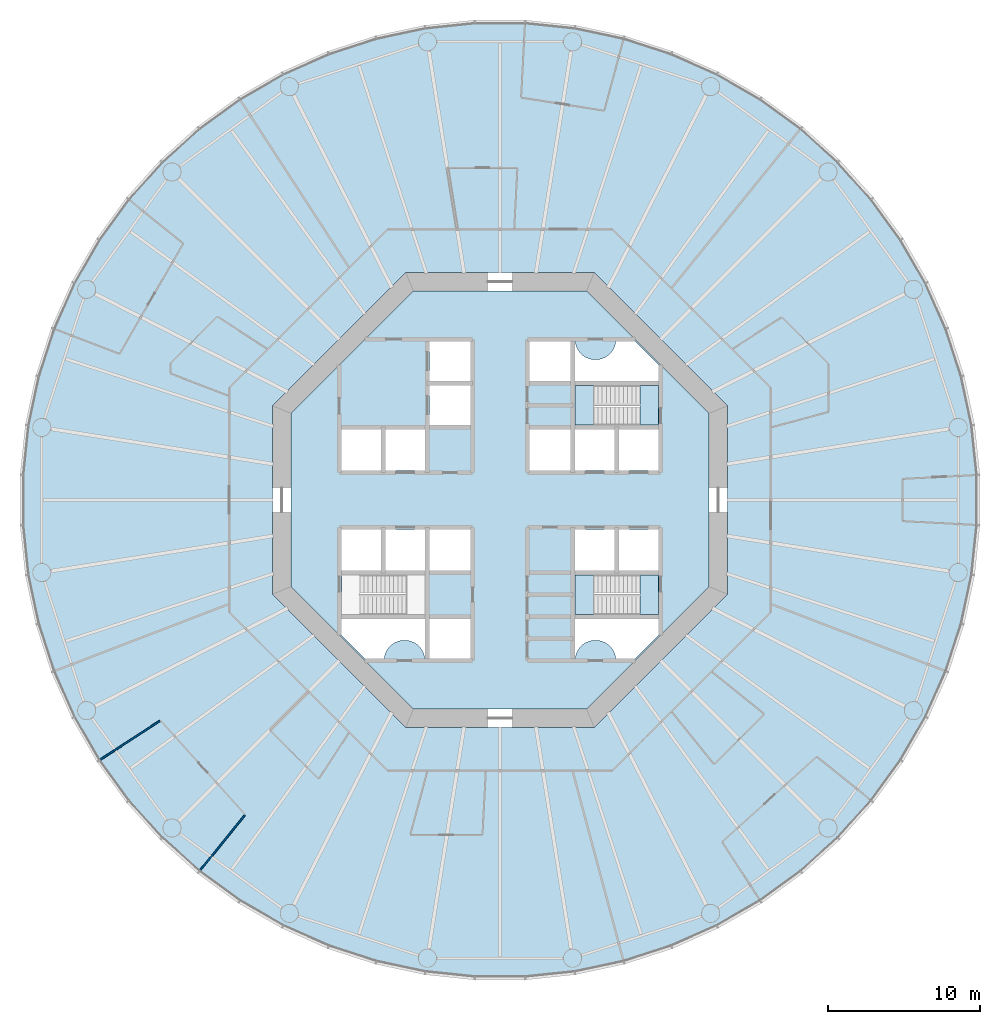
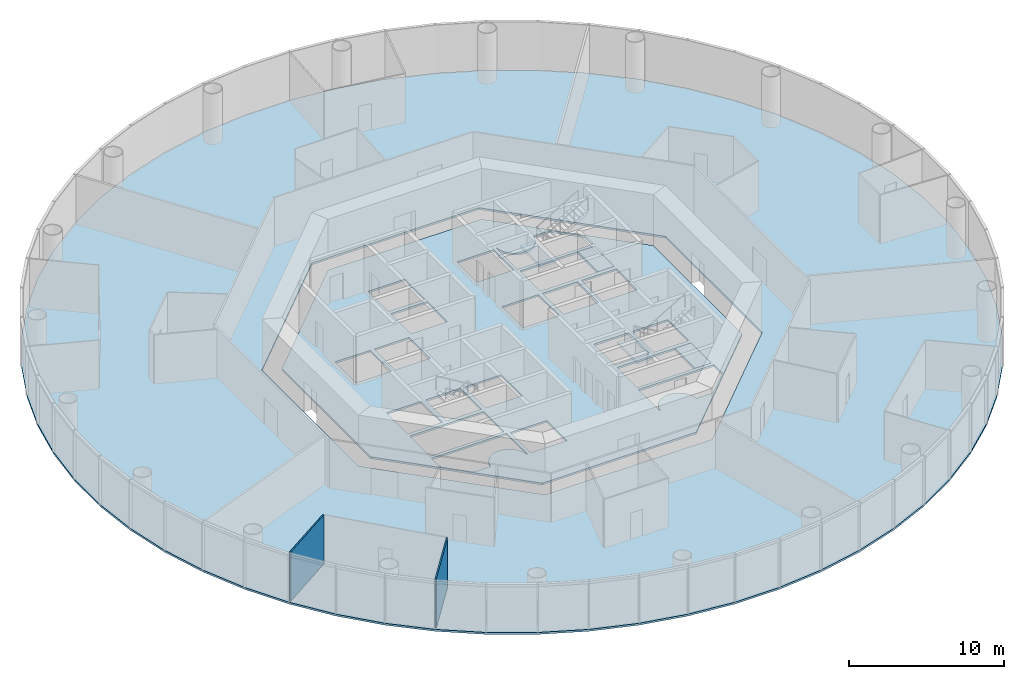
# One storey, part 2 of 13: 6 slabs, 2 walls, 2 elements without a shape of their own.
"""IFC4 building model written with IfcOpenShell, lengths in metres."""

from ifc_helpers import new_model, si_unit, direction, frame, frame_2d, origin, place, context, subcontext, project, spatial, polyline, rectangle, outline, extrude, material, layer, layer_set, type_object, element, aggregate, save


model = new_model("IFC4")

# Units and contexts
model_context = context("Model", 3, precision=1e-05, world=origin(), true_north=direction((0.0, 1.0)))
body_context = subcontext(model_context, "Body", "Model", "MODEL_VIEW")
ifc_project = project(units=[si_unit("LENGTHUNIT", "METRE"), si_unit("AREAUNIT", "SQUARE_METRE"), si_unit("VOLUMEUNIT", "CUBIC_METRE"), si_unit("PLANEANGLEUNIT", "RADIAN"), si_unit("MASSUNIT", "GRAM", prefix="KILO")], contexts=[model_context])

# Site, building, storey
site_placement = place(None, origin())
site = spatial("IfcSite", under=ifc_project, at=site_placement, CompositionType="ELEMENT")
building_placement = place(site_placement, origin())
building = spatial("IfcBuilding", under=site, at=building_placement, Name="Entoto Ring Tower", CompositionType="ELEMENT")
storey_placement = place(building_placement, frame((0.0, 0.0, 124.0)))
storey = spatial("IfcBuildingStorey", under=building, at=storey_placement, Name="L28", CompositionType="ELEMENT", Elevation=124.0)

# Slabs
ifc_material_1 = material(Name="Concrete C30/37", Category="concrete")
ifc_layer_1 = layer(ifc_material_1, 0.14990234375)
ifc_layer_set_1 = layer_set([ifc_layer_1], Name="Concrete C30/37")
slab_type_1 = type_object("IfcSlabType", Name="Composite floor slab 150 mm", PredefinedType="FLOOR", material=ifc_layer_set_1)
slab_1_placement = place(storey_placement, frame((0.0, 0.0, -0.14990234375)))
element("IfcSlab", 1, at=slab_1_placement, inside=storey, type_object=slab_type_1, Name="Floor slab L28", PredefinedType="FLOOR", context=body_context, shape_type="SweptSolid", body=[
    extrude(outline(polyline([(121.2109375, 84.943359375), (120.523193359375, 88.1787109375), (119.501220703125, 91.324462890625), (118.15576171875, 94.34619140625), (116.501953125, 97.210693359375), (114.557861328125, 99.886474609375), (112.344482421875, 102.344482421875), (109.886474609375, 104.557861328125), (107.210693359375, 106.501953125), (104.34619140625, 108.15576171875), (101.324462890625, 109.501220703125), (98.1787109375, 110.523193359375), (94.943359375, 111.2109375), (91.65380859375, 111.556640625), (88.34619140625, 111.556640625), (85.056640625, 111.2109375), (81.8212890625, 110.523193359375), (78.675537109375, 109.501220703125), (75.65380859375, 108.15576171875), (72.789306640625, 106.501953125), (70.113525390625, 104.557861328125), (67.655517578125, 102.344482421875), (65.442138671875, 99.886474609375), (63.498046875, 97.210693359375), (61.84423828125, 94.34619140625), (60.498779296875, 91.324462890625), (59.476806640625, 88.1787109375), (58.7890625, 84.943359375), (58.443359375, 81.65380859375), (58.443359375, 78.34619140625), (58.7890625, 75.056640625), (59.476806640625, 71.8212890625), (60.498779296875, 68.675537109375), (61.84423828125, 65.65380859375), (63.498046875, 62.789306640625), (65.442138671875, 60.113525390625), (67.655517578125, 57.655517578125), (70.113525390625, 55.442138671875), (72.789306640625, 53.498046875), (75.65380859375, 51.84423828125), (78.675537109375, 50.498779296875), (81.8212890625, 49.476806640625), (85.056640625, 48.7890625), (88.34619140625, 48.443359375), (91.65380859375, 48.443359375), (94.943359375, 48.7890625), (98.1787109375, 49.476806640625), (101.324462890625, 50.498779296875), (104.34619140625, 51.84423828125), (107.210693359375, 53.498046875), (109.886474609375, 55.442138671875), (112.344482421875, 57.655517578125), (114.557861328125, 60.113525390625), (116.501953125, 62.789306640625), (118.15576171875, 65.65380859375), (119.501220703125, 68.675537109375), (120.523193359375, 71.8212890625), (121.2109375, 75.056640625), (121.556640625, 78.34619140625), (121.556640625, 81.65380859375), (121.2109375, 84.943359375)]), holes=[polyline([(105.0, 73.786865234375), (105.0, 86.213134765625), (96.213134765625, 95.0), (83.786865234375, 95.0), (75.0, 86.213134765625), (75.0, 73.786865234375), (83.786865234375, 65.0), (96.213134765625, 65.0), (105.0, 73.786865234375)])]), origin(), (0.0, 0.0, 1.0), 0.14990234375),
])
ifc_material_2 = material(Name="Concrete C40/50", Category="concrete")
ifc_layer_2 = layer(ifc_material_2, 0.14990234375)
ifc_layer_set_2 = layer_set([ifc_layer_2], Name="Concrete C40/50")
slab_type_2 = type_object("IfcSlabType", Name="Core floor slab 150 mm reinforced concrete C40/50", PredefinedType="FLOOR", material=ifc_layer_set_2)
slab_2_placement = place(storey_placement, frame((0.0, 0.0, -0.14990234375)))
element("IfcSlab", 2, at=slab_2_placement, inside=storey, type_object=slab_type_2, Name="Core floor L28", PredefinedType="FLOOR", context=body_context, shape_type="SweptSolid", body=[
    extrude(outline(polyline([(103.800048828125, 74.283935546875), (103.800048828125, 85.716064453125), (95.716064453125, 93.800048828125), (84.283935546875, 93.800048828125), (76.199951171875, 85.716064453125), (76.199951171875, 74.283935546875), (84.283935546875, 66.199951171875), (95.716064453125, 66.199951171875), (103.800048828125, 74.283935546875)]), holes=[polyline([(100.449951171875, 84.949951171875), (100.449951171875, 87.550048828125), (94.949951171875, 87.550048828125), (94.949951171875, 84.949951171875), (100.449951171875, 84.949951171875)]), polyline([(85.050048828125, 72.449951171875), (85.050048828125, 75.050048828125), (79.550048828125, 75.050048828125), (79.550048828125, 72.449951171875), (85.050048828125, 72.449951171875)]), polyline([(100.449951171875, 72.449951171875), (100.449951171875, 75.050048828125), (94.949951171875, 75.050048828125), (94.949951171875, 72.449951171875), (100.449951171875, 72.449951171875)]), polyline([(94.949951171875, 81.949951171875), (97.550048828125, 81.949951171875), (97.550048828125, 84.64990234375), (94.949951171875, 84.64990234375), (94.949951171875, 81.949951171875)]), polyline([(97.85009765625, 81.949951171875), (100.449951171875, 81.949951171875), (100.449951171875, 84.64990234375), (97.85009765625, 84.64990234375), (97.85009765625, 81.949951171875)]), polyline([(82.449951171875, 81.949951171875), (85.050048828125, 81.949951171875), (85.050048828125, 84.64990234375), (82.449951171875, 84.64990234375), (82.449951171875, 81.949951171875)]), polyline([(94.949951171875, 75.35009765625), (97.550048828125, 75.35009765625), (97.550048828125, 78.050048828125), (94.949951171875, 78.050048828125), (94.949951171875, 75.35009765625)]), polyline([(97.85009765625, 75.35009765625), (100.449951171875, 75.35009765625), (100.449951171875, 78.050048828125), (97.85009765625, 78.050048828125), (97.85009765625, 75.35009765625)]), polyline([(82.449951171875, 75.35009765625), (85.050048828125, 75.35009765625), (85.050048828125, 78.050048828125), (82.449951171875, 78.050048828125), (82.449951171875, 75.35009765625)]), polyline([(79.550048828125, 81.949951171875), (82.14990234375, 81.949951171875), (82.14990234375, 84.64990234375), (79.550048828125, 84.64990234375), (79.550048828125, 81.949951171875)]), polyline([(79.550048828125, 75.35009765625), (82.14990234375, 75.35009765625), (82.14990234375, 78.050048828125), (79.550048828125, 78.050048828125), (79.550048828125, 75.35009765625)]), polyline([(91.949951171875, 87.85009765625), (94.64990234375, 87.85009765625), (94.64990234375, 90.449951171875), (91.949951171875, 90.449951171875), (91.949951171875, 87.85009765625)]), polyline([(85.35009765625, 69.550048828125), (88.050048828125, 69.550048828125), (88.050048828125, 72.14990234375), (85.35009765625, 72.14990234375), (85.35009765625, 69.550048828125)]), polyline([(91.949951171875, 81.949951171875), (94.64990234375, 81.949951171875), (94.64990234375, 84.64990234375), (91.949951171875, 84.64990234375), (91.949951171875, 81.949951171875)]), polyline([(85.35009765625, 75.35009765625), (88.050048828125, 75.35009765625), (88.050048828125, 78.050048828125), (85.35009765625, 78.050048828125), (85.35009765625, 75.35009765625)]), polyline([(85.35009765625, 84.949951171875), (88.050048828125, 84.949951171875), (88.050048828125, 87.550048828125), (85.35009765625, 87.550048828125), (85.35009765625, 84.949951171875)]), polyline([(85.35009765625, 87.85009765625), (88.050048828125, 87.85009765625), (88.050048828125, 90.449951171875), (85.35009765625, 90.449951171875), (85.35009765625, 87.85009765625)]), polyline([(94.89990234375, 90.5), (94.89990234375, 87.800048828125), (100.5, 87.800048828125), (100.5, 88.874755859375), (98.874755859375, 90.5), (97.64501953125, 90.5), (97.6435546875, 90.4677734375), (97.6240234375, 90.336669921875), (97.591796875, 90.2080078125), (97.547119140625, 90.08349609375), (97.490478515625, 89.963623046875), (97.422607421875, 89.85009765625), (97.343505859375, 89.74365234375), (97.254638671875, 89.6455078125), (97.156494140625, 89.556396484375), (97.050048828125, 89.4775390625), (96.936279296875, 89.409423828125), (96.816650390625, 89.352783203125), (96.69189453125, 89.30810546875), (96.5634765625, 89.27587890625), (96.432373046875, 89.256591796875), (96.300048828125, 89.25), (96.167724609375, 89.256591796875), (96.03662109375, 89.27587890625), (95.908203125, 89.30810546875), (95.783447265625, 89.352783203125), (95.66357421875, 89.409423828125), (95.550048828125, 89.4775390625), (95.443603515625, 89.556396484375), (95.345458984375, 89.6455078125), (95.25634765625, 89.74365234375), (95.177490234375, 89.85009765625), (95.109375, 89.963623046875), (95.052734375, 90.08349609375), (95.008056640625, 90.2080078125), (94.975830078125, 90.336669921875), (94.95654296875, 90.4677734375), (94.954833984375, 90.5), (94.89990234375, 90.5)]), polyline([(79.5, 71.125244140625), (81.125244140625, 69.5), (82.35498046875, 69.5), (82.3564453125, 69.5322265625), (82.3759765625, 69.663330078125), (82.408203125, 69.7919921875), (82.452880859375, 69.91650390625), (82.509521484375, 70.036376953125), (82.577392578125, 70.14990234375), (82.656494140625, 70.25634765625), (82.745361328125, 70.3544921875), (82.843505859375, 70.443603515625), (82.949951171875, 70.5224609375), (83.063720703125, 70.590576171875), (83.183349609375, 70.647216796875), (83.30810546875, 70.69189453125), (83.4365234375, 70.72412109375), (83.567626953125, 70.743408203125), (83.699951171875, 70.75), (83.832275390625, 70.743408203125), (83.96337890625, 70.72412109375), (84.091796875, 70.69189453125), (84.216552734375, 70.647216796875), (84.33642578125, 70.590576171875), (84.449951171875, 70.5224609375), (84.556396484375, 70.443603515625), (84.654541015625, 70.3544921875), (84.74365234375, 70.25634765625), (84.822509765625, 70.14990234375), (84.890625, 70.036376953125), (84.947265625, 69.91650390625), (84.991943359375, 69.7919921875), (85.024169921875, 69.663330078125), (85.04345703125, 69.5322265625), (85.045166015625, 69.5), (85.10009765625, 69.5), (85.10009765625, 72.199951171875), (79.5, 72.199951171875), (79.5, 71.125244140625)]), polyline([(97.64501953125, 69.5), (98.874755859375, 69.5), (100.5, 71.125244140625), (100.5, 72.199951171875), (94.89990234375, 72.199951171875), (94.89990234375, 69.5), (94.954833984375, 69.5), (94.95654296875, 69.5322265625), (94.975830078125, 69.663330078125), (95.008056640625, 69.7919921875), (95.052734375, 69.91650390625), (95.109375, 70.036376953125), (95.177490234375, 70.14990234375), (95.25634765625, 70.25634765625), (95.345458984375, 70.3544921875), (95.443603515625, 70.443603515625), (95.550048828125, 70.5224609375), (95.66357421875, 70.590576171875), (95.783447265625, 70.647216796875), (95.908203125, 70.69189453125), (96.03662109375, 70.72412109375), (96.167724609375, 70.743408203125), (96.300048828125, 70.75), (96.432373046875, 70.743408203125), (96.5634765625, 70.72412109375), (96.69189453125, 70.69189453125), (96.816650390625, 70.647216796875), (96.936279296875, 70.590576171875), (97.050048828125, 70.5224609375), (97.156494140625, 70.443603515625), (97.254638671875, 70.3544921875), (97.343505859375, 70.25634765625), (97.422607421875, 70.14990234375), (97.490478515625, 70.036376953125), (97.547119140625, 69.91650390625), (97.591796875, 69.7919921875), (97.6240234375, 69.663330078125), (97.6435546875, 69.5322265625), (97.64501953125, 69.5)])]), origin(), (0.0, 0.0, 1.0), 0.14990234375),
])

# Stair, slabs
ifc_material_3 = material(Name="Concrete C40/50", Category="concrete")
stair_type = type_object("IfcStairType", Name="Exit stair 1200 mm dog-leg reinforced concrete", PredefinedType="HALF_TURN_STAIR", material=ifc_material_3)
stair_1_placement = place(storey_placement, origin())
stair_1 = element("IfcStair", 3, at=stair_1_placement, inside=storey, type_object=stair_type, Name="Exit stair 1", PredefinedType="HALF_TURN_STAIR")
ifc_material_4 = material(Name="Concrete C40/50", Category="concrete")
ifc_layer_3 = layer(ifc_material_4, 0.199951171875)
ifc_layer_set_3 = layer_set([ifc_layer_3], Name="Concrete C40/50")
slab_type_3 = type_object("IfcSlabType", Name="Stair landing 200 mm reinforced concrete", PredefinedType="LANDING", material=ifc_layer_set_3)
slab_3_placement = place(storey_placement, frame((0.0, 0.0, -0.199951171875)))
slab_3 = element("IfcSlab", 4, at=slab_3_placement, type_object=slab_type_3, Name="ST1 landing 1", PredefinedType="LANDING", context=body_context, shape_type="SweptSolid", body=[
    extrude(outline(polyline([(100.449951171875, 84.949951171875), (100.449951171875, 87.550048828125), (99.25, 87.550048828125), (99.25, 84.949951171875), (100.449951171875, 84.949951171875)])), origin(), (0.0, 0.0, 1.0), 0.199951171875),
])
slab_4_placement = place(storey_placement, frame((0.0, 0.0, 1.800048828125)))
slab_4 = element("IfcSlab", 5, at=slab_4_placement, type_object=slab_type_3, Name="ST1 landing 2", PredefinedType="LANDING", context=body_context, shape_type="SweptSolid", body=[
    extrude(outline(polyline([(94.949951171875, 84.949951171875), (96.169921875, 84.949951171875), (96.169921875, 87.550048828125), (94.949951171875, 87.550048828125), (94.949951171875, 84.949951171875)])), origin(), (0.0, 0.0, 1.0), 0.199951171875),
])
aggregate(stair_1, [slab_3, slab_4])

stair_2_placement = place(storey_placement, origin())
stair_2 = element("IfcStair", 6, at=stair_2_placement, inside=storey, type_object=stair_type, Name="Exit stair 3", PredefinedType="HALF_TURN_STAIR")
slab_5_placement = place(storey_placement, frame((0.0, 0.0, -0.199951171875)))
slab_5 = element("IfcSlab", 7, at=slab_5_placement, type_object=slab_type_3, Name="ST3 landing 1", PredefinedType="LANDING", context=body_context, shape_type="SweptSolid", body=[
    extrude(outline(polyline([(100.449951171875, 72.449951171875), (100.449951171875, 75.050048828125), (99.25, 75.050048828125), (99.25, 72.449951171875), (100.449951171875, 72.449951171875)])), origin(), (0.0, 0.0, 1.0), 0.199951171875),
])
slab_6_placement = place(storey_placement, frame((0.0, 0.0, 1.800048828125)))
slab_6 = element("IfcSlab", 8, at=slab_6_placement, type_object=slab_type_3, Name="ST3 landing 2", PredefinedType="LANDING", context=body_context, shape_type="SweptSolid", body=[
    extrude(outline(polyline([(94.949951171875, 72.449951171875), (96.169921875, 72.449951171875), (96.169921875, 75.050048828125), (94.949951171875, 75.050048828125), (94.949951171875, 72.449951171875)])), origin(), (0.0, 0.0, 1.0), 0.199951171875),
])
aggregate(stair_2, [slab_5, slab_6])

# Walls
ifc_material_5 = material(Name="Plasterboard on steel studs", Category="steel")
ifc_layer_4 = layer(ifc_material_5, 0.10009765625)
ifc_layer_set_4 = layer_set([ifc_layer_4], Name="Plasterboard on steel studs")
wall_type = type_object("IfcWallType", Name="Partition 100 mm plasterboard on steel studs", PredefinedType="PARTITIONING", material=ifc_layer_set_4)
wall_1_placement = place(storey_placement, frame((63.632080078125, 62.87646484375, 0.0), z_axis=(0.0, 0.0, 1.0), x_axis=(0.838659964032, 0.544655363262, 0.0)))
element("IfcWall", 9, at=wall_1_placement, inside=storey, type_object=wall_type, Name="partition-L28-023", PredefinedType="PARTITIONING", context=body_context, shape_type="SweptSolid", body=[
    extrude(rectangle(XDim=4.69091796875, YDim=0.10009765625, at=frame_2d((2.345458984375, 0.0))), origin(), (0.0, 0.0, 1.0), 3.85009765625),
])
wall_2_placement = place(storey_placement, frame((70.214111328125, 55.56640625, 0.0), z_axis=(0.0, 0.0, 1.0), x_axis=(0.629298538396, 0.777163656879, 0.0)))
element("IfcWall", 10, at=wall_2_placement, inside=storey, type_object=wall_type, Name="partition-L28-024", PredefinedType="PARTITIONING", context=body_context, shape_type="SweptSolid", body=[
    extrude(rectangle(XDim=4.690673828125, YDim=0.10009765625, at=frame_2d((2.34521484375, 0.0))), origin(), (0.0, 0.0, 1.0), 3.85009765625),
])

save(model, "model.ifc")
